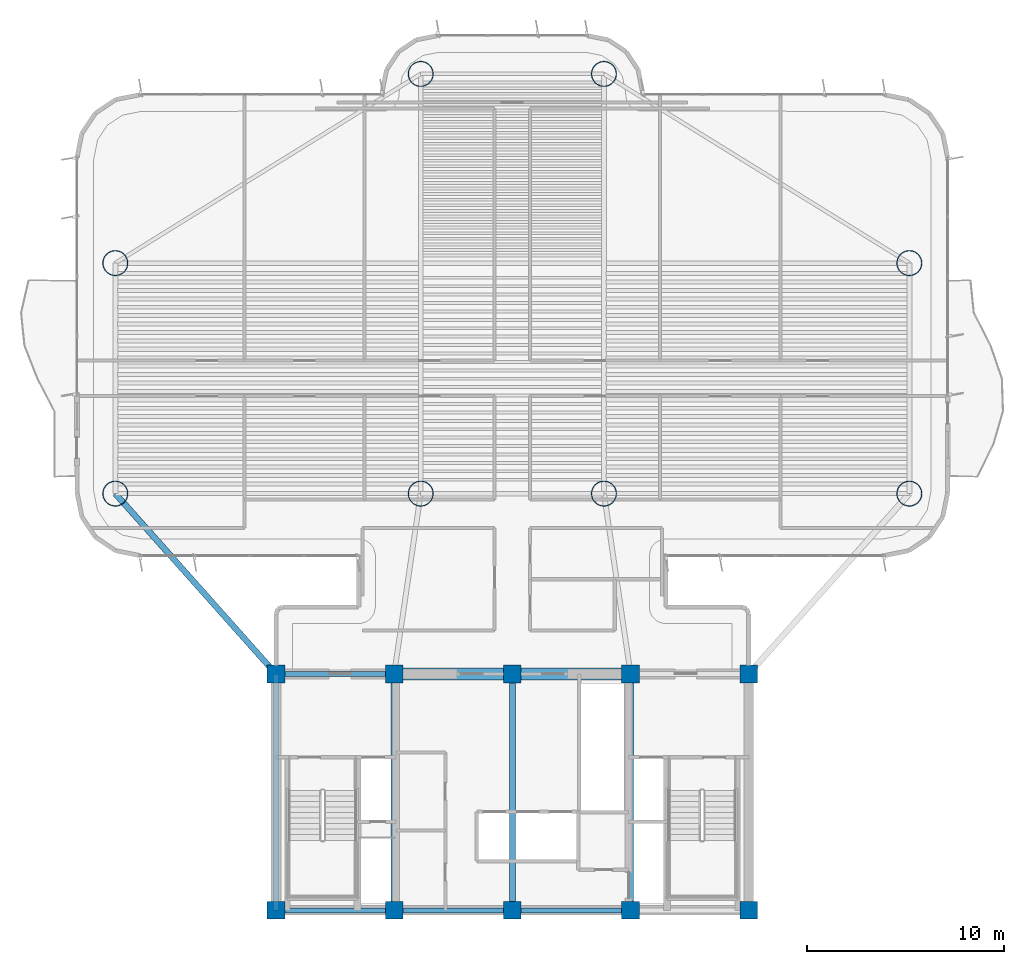
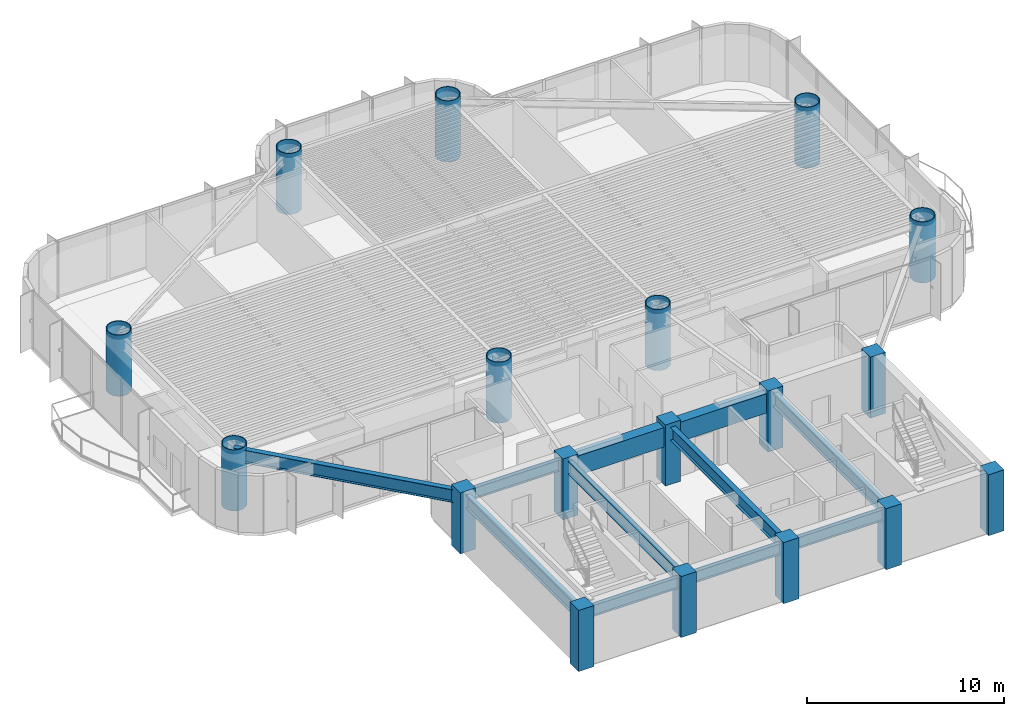
# One storey, part 1 of 16: 18 columns, 10 beams.
"""IFC4 building model written with IfcOpenShell, lengths in metres."""

from ifc_helpers import new_model, si_unit, direction, frame, origin, origin_2d, place, context, subcontext, project, spatial, rectangle, hollow_circle, i_section, extrude, source, transform, mapped, material, material_profile, profile_set, type_object, element, save


model = new_model("IFC4")

# Units and contexts
model_context = context("Model", 3, precision=1e-05, world=origin(), true_north=direction((0.0, 1.0)))
body_context = subcontext(model_context, "Body", "Model", "MODEL_VIEW")
ifc_project = project(units=[si_unit("LENGTHUNIT", "METRE"), si_unit("AREAUNIT", "SQUARE_METRE"), si_unit("VOLUMEUNIT", "CUBIC_METRE"), si_unit("PLANEANGLEUNIT", "RADIAN"), si_unit("MASSUNIT", "GRAM", prefix="KILO")], contexts=[model_context])

# Site, building, storey
site_placement = place(None, origin())
site = spatial("IfcSite", under=ifc_project, at=site_placement, CompositionType="ELEMENT")
building_placement = place(site_placement, origin())
building = spatial("IfcBuilding", under=site, at=building_placement, Name="Brelvock Crest Care Tower", CompositionType="ELEMENT")
storey_placement = place(building_placement, frame((0.0, 0.0, 108.719970703125)))
storey = spatial("IfcBuildingStorey", under=building, at=storey_placement, Name="L27", CompositionType="ELEMENT", Elevation=108.719970703125)

# Columns
ifc_material_1 = material(Name="Concrete S80 (80 MPa)", Category="concrete")
ifc_material_profile_1 = material_profile(ifc_material_1, rectangle(XDim=0.89990234375, YDim=0.89990234375, at=origin_2d()), Name="RC900x900")
ifc_profile_set_1 = profile_set([ifc_material_profile_1], Name="Concrete S80 (80 MPa)")
column_type_1 = type_object("IfcColumnType", Name="COL-RC2", PredefinedType="COLUMN", material=ifc_profile_set_1)
shared_shape_1 = source(origin(), body_context, "Body", "SweptSolid", [
    extrude(rectangle(XDim=0.89990234375, YDim=0.89990234375, at=origin_2d()), origin(), (0.0, 0.0, 1.0), 3.780029296875),
])
for number, where, z_axis, x_axis, name in (
    (1, (24.0, 6.0, 0.0), (0.0, 0.0, 1.0), (1.0, 0.0, 0.0), "L27 Core Column CC-01"),
    (2, (30.0, 6.0, 0.0), (0.0, 0.0, 1.0), (1.0, 0.0, 0.0), "L27 Core Column CC-02"),
    (3, (36.0, 6.0, 0.0), (0.0, 0.0, 1.0), (1.0, 0.0, 0.0), "L27 Core Column CC-03"),
    (4, (42.0, 6.0, 0.0), (0.0, 0.0, 1.0), (1.0, 0.0, 0.0), "L27 Core Column CC-04"),
    (5, (48.0, 6.0, 0.0), (0.0, 0.0, 1.0), (1.0, 0.0, 0.0), "L27 Core Column CC-05"),
    (6, (24.0, 18.0, 0.0), (0.0, 0.0, 1.0), (1.0, 0.0, 0.0), "L27 Core Column CC-06"),
    (7, (30.0, 18.0, 0.0), (0.0, 0.0, 1.0), (1.0, 0.0, 0.0), "L27 Core Column CC-07"),
    (8, (36.0, 18.0, 0.0), (0.0, 0.0, 1.0), (1.0, 0.0, 0.0), "L27 Core Column CC-08"),
    (9, (42.0, 18.0, 0.0), (0.0, 0.0, 1.0), (1.0, 0.0, 0.0), "L27 Core Column CC-09"),
    (10, (48.0, 18.0, 0.0), (0.0, 0.0, 1.0), (1.0, 0.0, 0.0), "L27 Core Column CC-10"),
):
    element("IfcColumn", number, at=place(storey_placement, frame(where, z_axis=z_axis, x_axis=x_axis)), inside=storey, type_object=column_type_1, Name=name, PredefinedType="COLUMN", context=body_context, shape_type="MappedRepresentation", body=[
        mapped(shared_shape_1, transform((0.0, 0.0, 0.0), x_axis=(1.0, 0.0, 0.0), y_axis=(0.0, 1.0, 0.0), z_axis=(0.0, 0.0, 1.0), scale=1.0)),
    ])
ifc_material_2 = material(Name="Steel Grade 350", Category="steel")
ifc_material_profile_2 = material_profile(ifc_material_2, hollow_circle(Radius=0.64990234375, WallThickness=0.044921875, at=origin_2d()), Name="CFT1300x45")
ifc_profile_set_2 = profile_set([ifc_material_profile_2], Name="Steel Grade 350")
column_type_2 = type_object("IfcColumnType", Name="COL-MC2", PredefinedType="COLUMN", material=ifc_profile_set_2)
shared_shape_2 = source(origin(), body_context, "Body", "SweptSolid", [
    extrude(hollow_circle(Radius=0.64990234375, WallThickness=0.044921875, at=origin_2d()), origin(), (0.0, 0.0, 1.0), 3.780029296875),
])
for number, where, z_axis, x_axis, name in (
    (11, (15.85009765625, 27.14990234375, 0.0), (0.0, 0.0, 1.0), (1.0, 0.0, 0.0), "L27 Tower Column M1"),
    (12, (15.85009765625, 38.85009765625, 0.0), (0.0, 0.0, 1.0), (1.0, 0.0, 0.0), "L27 Tower Column M2"),
    (13, (56.14990234375, 27.14990234375, 0.0), (0.0, 0.0, 1.0), (1.0, 0.0, 0.0), "L27 Tower Column M3"),
    (14, (56.14990234375, 38.85009765625, 0.0), (0.0, 0.0, 1.0), (1.0, 0.0, 0.0), "L27 Tower Column M4"),
    (15, (31.35009765625, 27.14990234375, 0.0), (0.0, 0.0, 1.0), (1.0, 0.0, 0.0), "L27 Tower Column M5"),
    (16, (40.64990234375, 27.14990234375, 0.0), (0.0, 0.0, 1.0), (1.0, 0.0, 0.0), "L27 Tower Column M6"),
    (17, (31.35009765625, 48.449951171875, 0.0), (0.0, 0.0, 1.0), (1.0, 0.0, 0.0), "L27 Tower Column M7"),
    (18, (40.64990234375, 48.449951171875, 0.0), (0.0, 0.0, 1.0), (1.0, 0.0, 0.0), "L27 Tower Column M8"),
):
    element("IfcColumn", number, at=place(storey_placement, frame(where, z_axis=z_axis, x_axis=x_axis)), inside=storey, type_object=column_type_2, Name=name, PredefinedType="COLUMN", context=body_context, shape_type="MappedRepresentation", body=[
        mapped(shared_shape_2, transform((0.0, 0.0, 0.0), x_axis=(1.0, 0.0, 0.0), y_axis=(0.0, 1.0, 0.0), z_axis=(0.0, 0.0, 1.0), scale=1.0)),
    ])

# Beams
ifc_material_profile_3 = material_profile(ifc_material_1, rectangle(XDim=0.60009765625, YDim=1.199951171875, at=origin_2d()), Name="RC600x1200")
ifc_profile_set_3 = profile_set([ifc_material_profile_3], Name="Concrete S80 (80 MPa)")
beam_type_1 = type_object("IfcBeamType", Name="BM-LN1", PredefinedType="LINTEL", material=ifc_profile_set_3)
shared_shape_3 = source(origin(), body_context, "Body", "SweptSolid", [
    extrude(rectangle(XDim=0.60009765625, YDim=1.199951171875, at=origin_2d()), origin(), (0.0, 0.0, 1.0), 12.0),
])
beam_1_placement = place(storey_placement, frame((30.0, 18.0, 2.929931640625), z_axis=(1.0, 0.0, 0.0), x_axis=(0.0, 1.0, 0.0)))
element("IfcBeam", 19, at=beam_1_placement, inside=storey, type_object=beam_type_1, Name="L27 Core Coupling Lintel Beam", PredefinedType="LINTEL", context=body_context, shape_type="MappedRepresentation", body=[
    mapped(shared_shape_3, transform((0.0, 0.0, 0.0), x_axis=(1.0, 0.0, 0.0), y_axis=(0.0, 1.0, 0.0), z_axis=(0.0, 0.0, 1.0), scale=1.0)),
])
ifc_material_profile_4 = material_profile(ifc_material_2, i_section(OverallWidth=0.25, OverallDepth=0.699951171875, WebThickness=0.011962890625, FlangeThickness=0.02001953125, at=origin_2d()), Name="700WB150")
ifc_profile_set_4 = profile_set([ifc_material_profile_4], Name="Steel Grade 350")
beam_type_2 = type_object("IfcBeamType", Name="BM-G4", PredefinedType="BEAM", material=ifc_profile_set_4)
shared_shape_4 = source(origin(), body_context, "Body", "SweptSolid", [
    extrude(i_section(OverallWidth=0.25, OverallDepth=0.699951171875, WebThickness=0.011962890625, FlangeThickness=0.02001953125, at=origin_2d()), origin(), (0.0, 0.0, 1.0), 6.0),
])
for number, where, z_axis, x_axis, name in (
    (20, (24.0, 6.0, 3.179931640625), (1.0, 0.0, 0.0), (0.0, 1.0, 0.0), "BM-CORES-L27-1"),
    (21, (24.0, 18.0, 3.179931640625), (1.0, 0.0, 0.0), (0.0, 1.0, 0.0), "BM-COREN-L27-1"),
    (22, (30.0, 6.0, 3.179931640625), (1.0, 0.0, 0.0), (0.0, 1.0, 0.0), "BM-CORES-L27-2"),
    (23, (36.0, 6.0, 3.179931640625), (1.0, 0.0, 0.0), (0.0, 1.0, 0.0), "BM-CORES-L27-3"),
):
    element("IfcBeam", number, at=place(storey_placement, frame(where, z_axis=z_axis, x_axis=x_axis)), inside=storey, type_object=beam_type_2, Name=name, PredefinedType="BEAM", context=body_context, shape_type="MappedRepresentation", body=[
        mapped(shared_shape_4, transform((0.0, 0.0, 0.0), x_axis=(1.0, 0.0, 0.0), y_axis=(0.0, 1.0, 0.0), z_axis=(0.0, 0.0, 1.0), scale=1.0)),
    ])
ifc_material_profile_5 = material_profile(ifc_material_2, i_section(OverallWidth=0.300048828125, OverallDepth=0.800048828125, WebThickness=0.013916015625, FlangeThickness=0.02197265625, at=origin_2d()), Name="800WB192")
ifc_profile_set_5 = profile_set([ifc_material_profile_5], Name="Steel Grade 350")
beam_type_3 = type_object("IfcBeamType", Name="BM-G5", PredefinedType="BEAM", material=ifc_profile_set_5)
shared_shape_5 = source(origin(), body_context, "Body", "SweptSolid", [
    extrude(i_section(OverallWidth=0.300048828125, OverallDepth=0.800048828125, WebThickness=0.013916015625, FlangeThickness=0.02197265625, at=origin_2d()), origin(), (0.0, 0.0, 1.0), 12.0),
])
for number, where, z_axis, x_axis, name in (
    (24, (24.0, 6.0, 3.130126953125), (0.0, 1.0, 0.0), (-1.0, 0.0, 0.0), "BM-COREX-L27-1"),
    (25, (30.0, 6.0, 3.130126953125), (0.0, 1.0, 0.0), (-1.0, 0.0, 0.0), "BM-COREX-L27-2"),
    (26, (36.0, 6.0, 3.130126953125), (0.0, 1.0, 0.0), (-1.0, 0.0, 0.0), "BM-COREX-L27-3"),
    (27, (42.0, 6.0, 3.130126953125), (0.0, 1.0, 0.0), (-1.0, 0.0, 0.0), "BM-COREX-L27-4"),
):
    element("IfcBeam", number, at=place(storey_placement, frame(where, z_axis=z_axis, x_axis=x_axis)), inside=storey, type_object=beam_type_3, Name=name, PredefinedType="BEAM", context=body_context, shape_type="MappedRepresentation", body=[
        mapped(shared_shape_5, transform((0.0, 0.0, 0.0), x_axis=(1.0, 0.0, 0.0), y_axis=(0.0, 1.0, 0.0), z_axis=(0.0, 0.0, 1.0), scale=1.0)),
    ])
shared_shape_6 = source(origin(), body_context, "Body", "SweptSolid", [
    extrude(i_section(OverallWidth=0.300048828125, OverallDepth=0.800048828125, WebThickness=0.013916015625, FlangeThickness=0.02197265625, at=origin_2d()), origin(), (0.0, 0.0, 1.0), 12.253173828125),
])
beam_2_placement = place(storey_placement, frame((24.0, 18.0, 3.130126953125), z_axis=(-0.665122829149, 0.746733970129, 0.0), x_axis=(-0.746733970129, -0.665122829149, 0.0)))
element("IfcBeam", 28, at=beam_2_placement, inside=storey, type_object=beam_type_3, Name="BM-THRO-W-L27", PredefinedType="BEAM", context=body_context, shape_type="MappedRepresentation", body=[
    mapped(shared_shape_6, transform((0.0, 0.0, 0.0), x_axis=(1.0, 0.0, 0.0), y_axis=(0.0, 1.0, 0.0), z_axis=(0.0, 0.0, 1.0), scale=1.0)),
])

save(model, "model.ifc")
